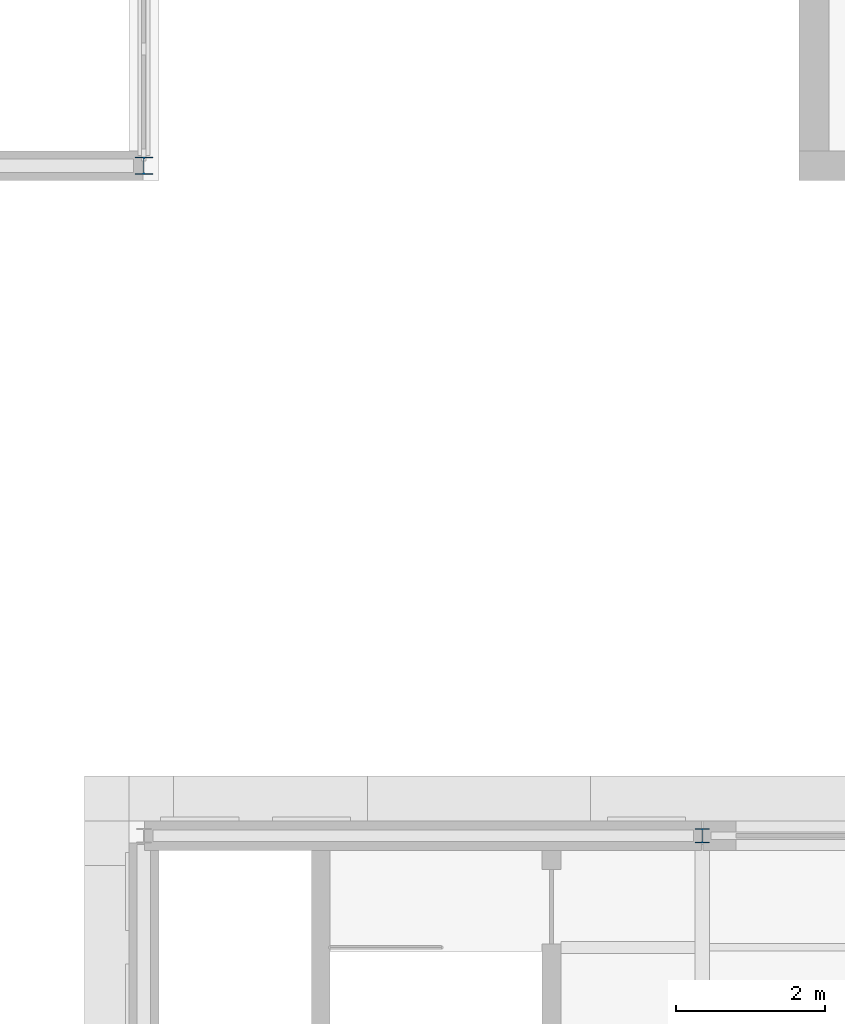
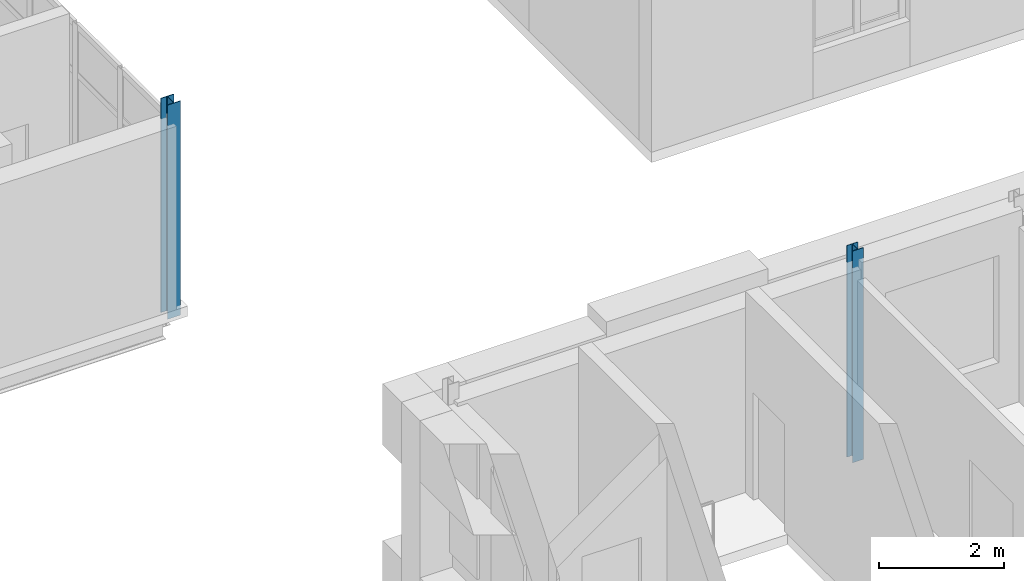
# One storey, part 12 of 154: 2 columns.
"""IFC4 building model written with IfcOpenShell, lengths in metres."""

from ifc_helpers import new_model, si_unit, direction, frame, origin, origin_2d, place, context, subcontext, project, spatial, i_section, extrude, material, material_profile, profile_set, type_object, element, save


model = new_model("IFC4")

# Units and contexts
model_context = context("Model", 3, precision=1e-05, world=origin(), true_north=direction((0.0, 1.0)))
body_context = subcontext(model_context, "Body", "Model", "MODEL_VIEW")
ifc_project = project(units=[si_unit("LENGTHUNIT", "METRE"), si_unit("AREAUNIT", "SQUARE_METRE"), si_unit("VOLUMEUNIT", "CUBIC_METRE"), si_unit("PLANEANGLEUNIT", "RADIAN"), si_unit("MASSUNIT", "GRAM", prefix="KILO")], contexts=[model_context])

# Site, building, storey
site_placement = place(None, origin())
site = spatial("IfcSite", under=ifc_project, at=site_placement, CompositionType="ELEMENT")
building_placement = place(site_placement, origin())
building = spatial("IfcBuilding", under=site, at=building_placement, Name="Golden Quay Civic Hall", CompositionType="ELEMENT")
storey_placement = place(building_placement, frame((0.0, 0.0, 14.39990234375)))
storey = spatial("IfcBuildingStorey", under=building, at=storey_placement, Name="L03", CompositionType="ELEMENT", Elevation=14.39990234375)

# Columns
ifc_material_1 = material(Name="Steel S355", Category="steel")
ifc_material_profile_1 = material_profile(ifc_material_1, i_section(OverallWidth=0.199951171875, OverallDepth=0.18994140625, WebThickness=0.006591796875, FlangeThickness=0.010009765625, FilletRadius=0.01806640625, at=origin_2d()), Name="HEA 200")
ifc_profile_set_1 = profile_set([ifc_material_profile_1], Name="Steel S355")
column_type_1 = type_object("IfcColumnType", Name="Steel column HEA 200", PredefinedType="COLUMN", material=ifc_profile_set_1)
column_1_placement = place(storey_placement, frame((61.5, 54.0, -0.199951171875), z_axis=(0.0, 0.0, 1.0), x_axis=(1.0, 0.0, 0.0)))
element("IfcColumn", 1, at=column_1_placement, inside=storey, type_object=column_type_1, Name="Column 61.5/54 L03", PredefinedType="COLUMN", context=body_context, shape_type="SweptSolid", body=[
    extrude(i_section(OverallWidth=0.199951171875, OverallDepth=0.18994140625, WebThickness=0.006591796875, FlangeThickness=0.010009765625, FilletRadius=0.01806640625, at=origin_2d()), origin(), (0.0, 0.0, 1.0), 4.150146484375),
])
ifc_material_2 = material(Name="Steel S355", Category="steel")
ifc_material_profile_2 = material_profile(ifc_material_2, i_section(OverallWidth=0.239990234375, OverallDepth=0.22998046875, WebThickness=0.007568359375, FlangeThickness=0.011962890625, FilletRadius=0.02099609375, at=origin_2d()), Name="HEA 240")
ifc_profile_set_2 = profile_set([ifc_material_profile_2], Name="Steel S355")
column_type_2 = type_object("IfcColumnType", Name="Steel column HEA 240", PredefinedType="COLUMN", material=ifc_profile_set_2)
column_2_placement = place(storey_placement, frame((54.0, 63.0, -0.199951171875), z_axis=(0.0, 0.0, 1.0), x_axis=(1.0, 0.0, 0.0)))
element("IfcColumn", 2, at=column_2_placement, inside=storey, type_object=column_type_2, Name="Column 54/63 L03", PredefinedType="COLUMN", context=body_context, shape_type="SweptSolid", body=[
    extrude(i_section(OverallWidth=0.239990234375, OverallDepth=0.22998046875, WebThickness=0.007568359375, FlangeThickness=0.011962890625, FilletRadius=0.02099609375, at=origin_2d()), origin(), (0.0, 0.0, 1.0), 4.199951171875),
])

save(model, "model.ifc")
